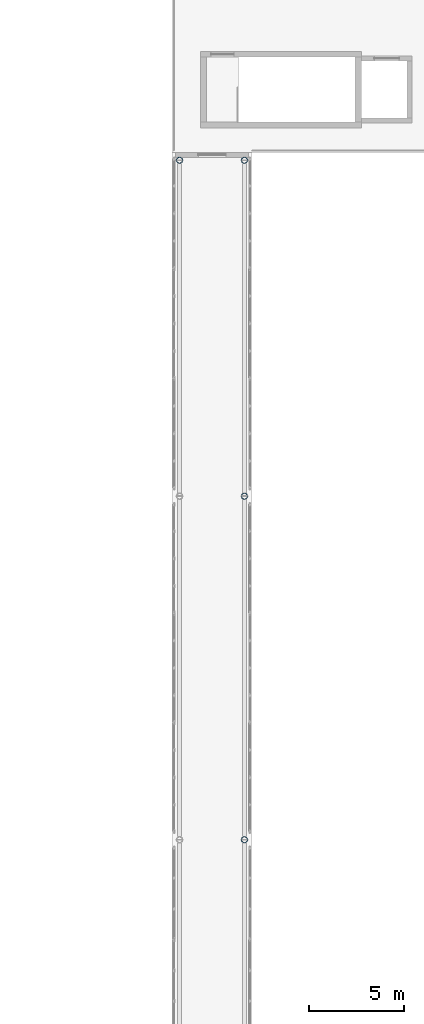
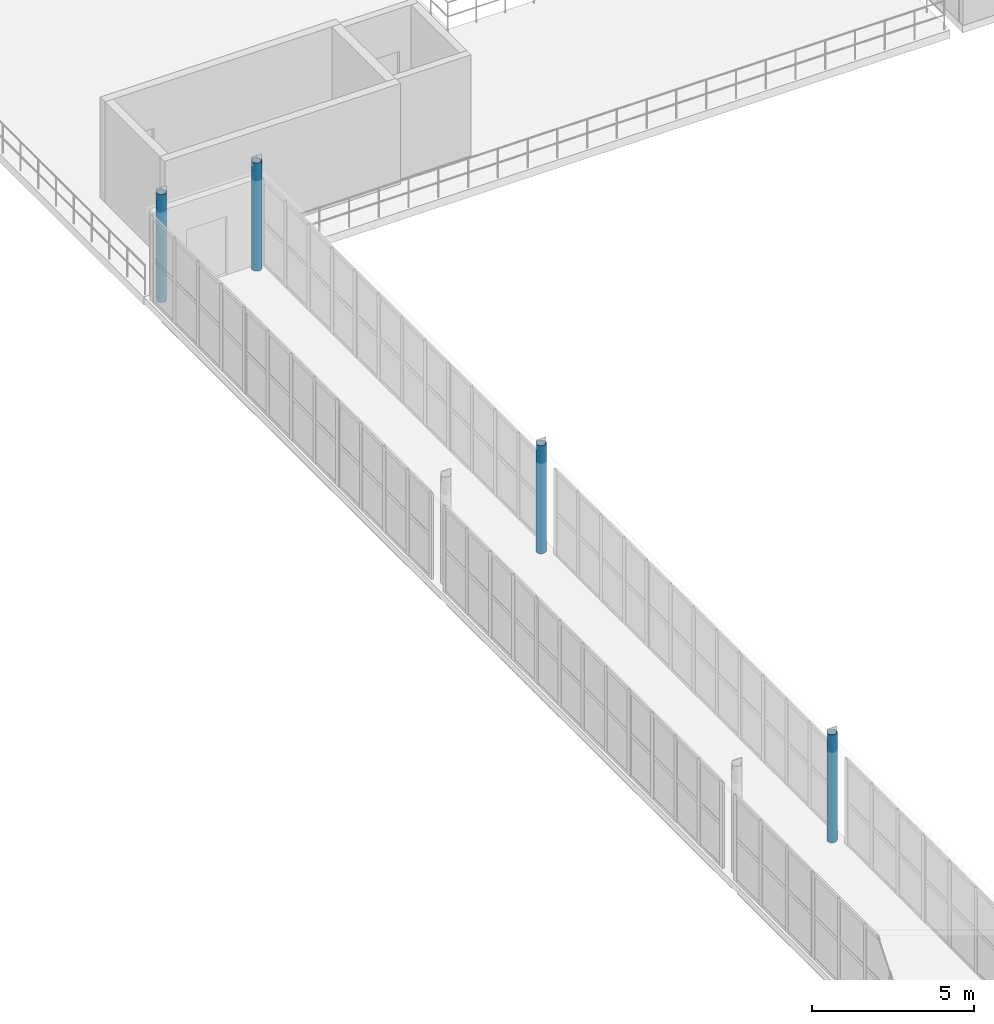
# One storey, part 5 of 52: 4 columns.
"""IFC4 building model written with IfcOpenShell, lengths in metres."""

from ifc_helpers import new_model, si_unit, direction, frame, origin, origin_2d, place, context, subcontext, project, spatial, hollow_circle, extrude, material, material_profile, profile_set, type_object, element, save


model = new_model("IFC4")

# Units and contexts
model_context = context("Model", 3, precision=1e-05, world=origin(), true_north=direction((0.0, 1.0)))
body_context = subcontext(model_context, "Body", "Model", "MODEL_VIEW")
ifc_project = project(units=[si_unit("LENGTHUNIT", "METRE"), si_unit("AREAUNIT", "SQUARE_METRE"), si_unit("VOLUMEUNIT", "CUBIC_METRE"), si_unit("PLANEANGLEUNIT", "RADIAN"), si_unit("MASSUNIT", "GRAM", prefix="KILO")], contexts=[model_context])

# Site, building, storey
site_placement = place(None, origin())
site = spatial("IfcSite", under=ifc_project, at=site_placement, CompositionType="ELEMENT")
building_placement = place(site_placement, origin())
building = spatial("IfcBuilding", under=site, at=building_placement, Name="Valcora Specialist Clinic", CompositionType="ELEMENT")
storey_placement = place(building_placement, frame((0.0, 0.0, 17.679931640625)))
storey = spatial("IfcBuildingStorey", under=building, at=storey_placement, Name="L04", CompositionType="ELEMENT", Elevation=17.679931640625)

# Columns
ifc_material = material(Name="Steel ASTM A500 Grade C", Category="steel")
ifc_material_profile = material_profile(ifc_material, hollow_circle(Radius=0.162109375, WallThickness=0.011962890625, at=origin_2d()), Name="ST-CHS-324X12")
ifc_profile_set = profile_set([ifc_material_profile], Name="Steel ASTM A500 Grade C")
column_type = type_object("IfcColumnType", Name="TY-COL-CHS324", PredefinedType="COLUMN", material=ifc_profile_set)
for number, where, z_axis, x_axis, name in (
    (1, (61.60009765625, 73.60009765625, 0.0), (0.0, 0.0, 1.0), (1.0, 0.0, 0.0), "Column COL-L04-0982"),
    (2, (65.0, 38.0, 0.0), (0.0, 0.0, 1.0), (1.0, 0.0, 0.0), "Column COL-L04-0994"),
    (3, (65.0, 56.0, 0.0), (0.0, 0.0, 1.0), (1.0, 0.0, 0.0), "Column COL-L04-1000"),
    (4, (65.0, 73.60009765625, 0.0), (0.0, 0.0, 1.0), (1.0, 0.0, 0.0), "Column COL-L04-1006"),
):
    element("IfcColumn", number, at=place(storey_placement, frame(where, z_axis=z_axis, x_axis=x_axis)), inside=storey, type_object=column_type, Name=name, PredefinedType="COLUMN", context=body_context, shape_type="SweptSolid", body=[
        extrude(hollow_circle(Radius=0.162109375, WallThickness=0.011962890625, at=origin_2d()), origin(), (0.0, 0.0, 1.0), 4.080078125),
    ])

save(model, "model.ifc")
